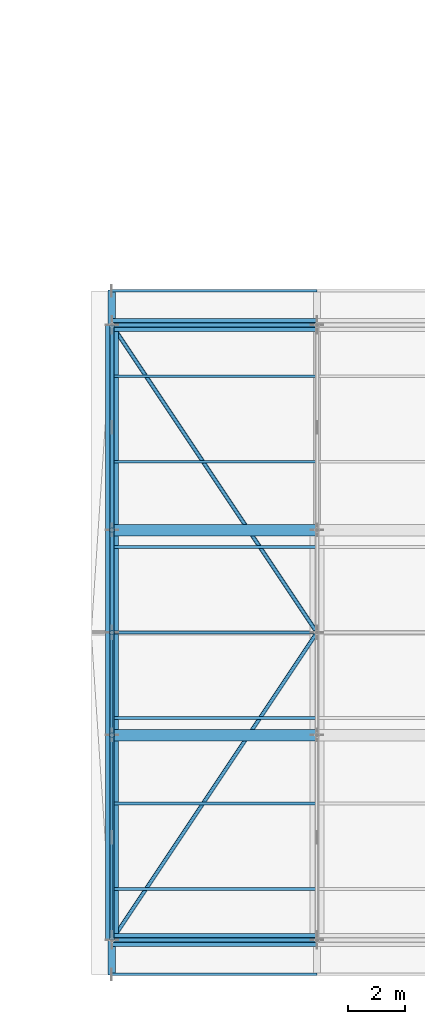
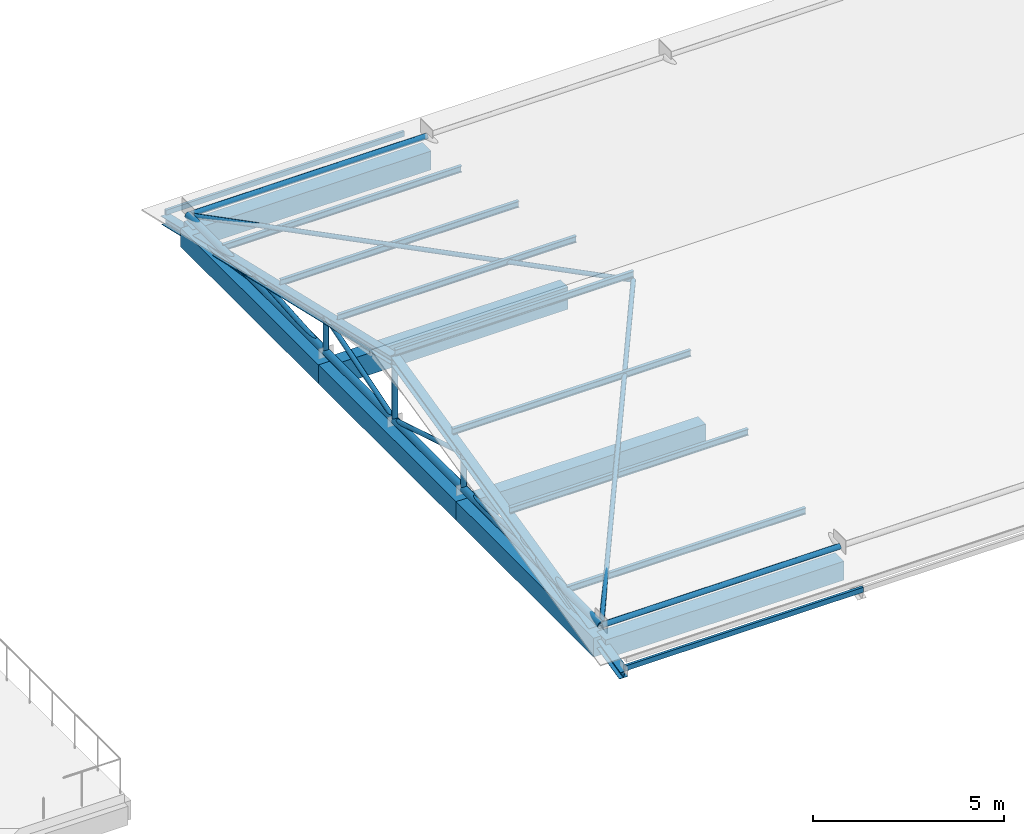
# One storey, part 10 of 84: 25 members, 7 beams.
"""IFC4 building model written with IfcOpenShell, lengths in metres."""

import ifcopenshell
import ifcopenshell.guid

model = None  # the IFC model being written
_history = None  # IfcOwnerHistory: only IFC2X3 demands one
_inside = {}  # id of a spatial element -> (the spatial element, [elements in it])
_under = {}  # id of a project, library or spatial element -> (it, [spatial elements below it])
_declared = {}  # id of a project -> (the project, [libraries it declares])
_typed = {}  # id of a type object -> (the type object, [elements of that type])
_made_of = {}  # id of a material, layer set ... -> (it, [elements and type objects made of it])


def new_model(schema):
    """Start an empty IFC model of exactly this schema.

    Asked for "IFC4X3", IfcOpenShell would pick the latest addendum, in which some entities
    have other attributes; the version numbers below select the first issue.
    IFC2X3 requires an IfcOwnerHistory on every rooted entity: one is made here for all.
    """
    global model, _history
    if schema == "IFC4X3":
        model = ifcopenshell.file(schema_version=(4, 3, 0, 0))
    else:
        model = ifcopenshell.file(schema=schema)
    _inside.clear()
    _under.clear()
    _declared.clear()
    _typed.clear()
    _made_of.clear()
    _history = None
    if model.schema == "IFC2X3":
        org = make("IfcOrganization", Name="unknown")
        user = make(
            "IfcPersonAndOrganization",
            ThePerson=make("IfcPerson", FamilyName="unknown"),
            TheOrganization=org,
        )
        app = make(
            "IfcApplication",
            ApplicationDeveloper=org,
            Version="unknown",
            ApplicationFullName="unknown",
            ApplicationIdentifier="unknown",
        )
        _history = make(
            "IfcOwnerHistory",
            OwningUser=user,
            OwningApplication=app,
            ChangeAction="ADDED",
            CreationDate=0,
        )
    return model


def make(cls, **values):
    """One entity of the class cls with the attributes given. An attribute that is None is left unset."""
    return model.create_entity(
        cls, **{name: value for name, value in values.items() if value is not None}
    )


def rooted(cls, **values):
    """An entity with a GlobalId (a new one), such as an element, a storey or a relation."""
    return make(cls, GlobalId=ifcopenshell.guid.new(), OwnerHistory=_history, **values)


def si_unit(unit_type, name, prefix=None):
    """IfcSIUnit, for example si_unit("LENGTHUNIT", "METRE", prefix="MILLI")."""
    return make("IfcSIUnit", UnitType=unit_type, Prefix=prefix, Name=name)


def assignment(units):
    """IfcUnitAssignment: the units of a project."""
    return None if units is None else make("IfcUnitAssignment", Units=units)


def point(xyz):
    """IfcCartesianPoint."""
    return None if xyz is None else make("IfcCartesianPoint", Coordinates=xyz)


def direction(xyz):
    """IfcDirection."""
    return None if xyz is None else make("IfcDirection", DirectionRatios=xyz)


def frame(location, z_axis=None, x_axis=None):
    """IfcAxis2Placement3D, a coordinate frame: its origin and axes. An axis left out is left unset."""
    return make(
        "IfcAxis2Placement3D",
        Location=point(location),
        Axis=direction(z_axis),
        RefDirection=direction(x_axis),
    )


def frame_2d(location, x_axis=None):
    """IfcAxis2Placement2D, a coordinate frame in the plane: its origin and x axis."""
    return make(
        "IfcAxis2Placement2D", Location=point(location), RefDirection=direction(x_axis)
    )


def origin():
    """The frame at (0, 0, 0) with its axes left unset."""
    return frame((0.0, 0.0, 0.0))


def origin_2d():
    """The frame at (0, 0) in the plane with its x axis left unset."""
    return frame_2d((0.0, 0.0))


def place(relative_to, where):
    """IfcLocalPlacement: puts the frame where relative to a parent placement (None: the world)."""
    return make(
        "IfcLocalPlacement", PlacementRelTo=relative_to, RelativePlacement=where
    )


def context(
    kind, dimensions, precision=None, world=None, true_north=None, identifier=None
):
    """IfcGeometricRepresentationContext, for example the 3D "Model" context."""
    return make(
        "IfcGeometricRepresentationContext",
        ContextIdentifier=identifier,
        ContextType=kind,
        CoordinateSpaceDimension=dimensions,
        Precision=precision,
        WorldCoordinateSystem=world,
        TrueNorth=true_north,
    )


def subcontext(parent, identifier, kind, view, scale=None):
    """IfcGeometricRepresentationSubContext, for example "Body" below "Model"."""
    return make(
        "IfcGeometricRepresentationSubContext",
        ContextIdentifier=identifier,
        ContextType=kind,
        ParentContext=parent,
        TargetScale=scale,
        TargetView=view,
    )


def project(units=None, contexts=None):
    """IfcProject with its units and contexts."""
    return rooted(
        "IfcProject",
        Name="project",
        RepresentationContexts=contexts,
        UnitsInContext=assignment(units),
    )


def spatial(cls, under=None, at=None, **own):
    """A site, building, storey or space (cls), placed at a placement, below another one or the project."""
    s = rooted(cls, ObjectPlacement=at, **own)
    if under is not None:
        _under.setdefault(under.id(), (under, []))[1].append(s)
    return s


def profile(cls, at=None, kind="AREA", **sizes):
    """A parametric profile (cls). Its sizes go by their IFC names, for example OverallWidth=200.0."""
    return make(cls, ProfileType=kind, Position=at, **sizes)


def rectangle(**sizes):
    """IfcRectangleProfileDef."""
    return profile("IfcRectangleProfileDef", **sizes)


def hollow_rectangle(**sizes):
    """IfcRectangleHollowProfileDef."""
    return profile("IfcRectangleHollowProfileDef", **sizes)


def hollow_circle(**sizes):
    """IfcCircleHollowProfileDef."""
    return profile("IfcCircleHollowProfileDef", **sizes)


def i_section(**sizes):
    """IfcIShapeProfileDef."""
    return profile("IfcIShapeProfileDef", **sizes)


def extrude(swept, where, along, depth):
    """IfcExtrudedAreaSolid: the profile swept, set in the frame where, extruded along a direction by depth."""
    return make(
        "IfcExtrudedAreaSolid",
        SweptArea=swept,
        Position=where,
        ExtrudedDirection=direction(along),
        Depth=depth,
    )


def shape(context_of_items, identifier, shape_type, items):
    """IfcShapeRepresentation: the items that make up one representation, for example the "Body"."""
    return make(
        "IfcShapeRepresentation",
        ContextOfItems=context_of_items,
        RepresentationIdentifier=identifier,
        RepresentationType=shape_type,
        Items=items,
    )


def material(Name=None, Category=None):
    """IfcMaterial."""
    return make("IfcMaterial", Name=Name, Category=Category)


def material_profile(
    of_material, cross_section, Name=None, Category=None, Priority=None
):
    """IfcMaterialProfile: a cross section and its material."""
    return make(
        "IfcMaterialProfile",
        Name=Name,
        Material=of_material,
        Profile=cross_section,
        Priority=Priority,
        Category=Category,
    )


def profile_set(profiles, Name=None, composite=None):
    """IfcMaterialProfileSet."""
    return make(
        "IfcMaterialProfileSet",
        Name=Name,
        MaterialProfiles=profiles,
        CompositeProfile=composite,
    )


def made_of(thing, what):
    """Note that an element or type object is made of a material, layer set ...; save() writes the relation."""
    if what is not None:
        _made_of.setdefault(what.id(), (what, []))[1].append(thing)
    return thing


def type_object(cls, material=None, **own):
    """A type object (cls), such as IfcWallType, which elements share."""
    return made_of(rooted(cls, **own), material)


def element(
    cls,
    number,
    at=None,
    inside=None,
    cuts=None,
    type_object=None,
    material=None,
    context=None,
    identifier="Body",
    shape_type=None,
    held_by="IfcProductDefinitionShape",
    body=None,
    shapes=None,
    **own,
):
    """One element of the class cls, such as IfcWall. Its Tag is "e" and its number.

    at: its placement. inside: the storey or other place that contains it. cuts: it is an
    opening in that element (IfcRelVoidsElement). A single representation is given by context,
    identifier, shape_type and body (its items); several are given by shapes. held_by: the class
    of the entity that holds the representations. save() writes the other relations.
    """
    e = rooted(cls, Tag="e%d" % number, ObjectPlacement=at, **own)
    if body is not None:
        shapes = [shape(context, identifier, shape_type, body)]
    if shapes is not None:
        e.Representation = make(held_by, Representations=shapes)
    if inside is not None:
        _inside.setdefault(inside.id(), (inside, []))[1].append(e)
    if cuts is not None:
        rooted(
            "IfcRelVoidsElement", RelatingBuildingElement=cuts, RelatedOpeningElement=e
        )
    if type_object is not None:
        _typed.setdefault(type_object.id(), (type_object, []))[1].append(e)
    return made_of(e, material)


def aggregate(whole, parts):
    """IfcRelAggregates: a whole, such as a stair, and the parts it consists of."""
    return rooted("IfcRelAggregates", RelatingObject=whole, RelatedObjects=parts)


def save(model, path):
    """Write the relations noted so far, then the file.

    IfcRelAggregates (storeys below a building ...), IfcRelContainedInSpatialStructure (elements
    in a storey), IfcRelDefinesByType, IfcRelAssociatesMaterial and IfcRelDeclares: one each for
    every whole, place, type object, material and project.
    """
    for whole, parts in _under.values():
        aggregate(whole, parts)
    for where, things in _inside.values():
        rooted(
            "IfcRelContainedInSpatialStructure",
            RelatedElements=things,
            RelatingStructure=where,
        )
    for kind, things in _typed.values():
        rooted("IfcRelDefinesByType", RelatedObjects=things, RelatingType=kind)
    for what, things in _made_of.values():
        rooted("IfcRelAssociatesMaterial", RelatedObjects=things, RelatingMaterial=what)
    for by, libraries in _declared.values():
        rooted("IfcRelDeclares", RelatingContext=by, RelatedDefinitions=libraries)
    model.write(path)


model = new_model("IFC4")

# Units and contexts
model_context = context("Model", 3, precision=1e-05, world=origin(), true_north=direction((0.0, 1.0)))
body_context = subcontext(model_context, "Body", "Model", "MODEL_VIEW")
ifc_project = project(units=[si_unit("LENGTHUNIT", "METRE"), si_unit("AREAUNIT", "SQUARE_METRE"), si_unit("VOLUMEUNIT", "CUBIC_METRE"), si_unit("PLANEANGLEUNIT", "RADIAN"), si_unit("MASSUNIT", "GRAM", prefix="KILO")], contexts=[model_context])

# Site, building, storey
site_placement = place(None, origin())
site = spatial("IfcSite", under=ifc_project, at=site_placement, CompositionType="ELEMENT")
building_placement = place(site_placement, origin())
building = spatial("IfcBuilding", under=site, at=building_placement, Name="Zornivar Specialist Clinic", CompositionType="ELEMENT")
storey_placement = place(building_placement, frame((0.0, 0.0, 12.300048828125)))
storey = spatial("IfcBuildingStorey", under=building, at=storey_placement, Name="L03", CompositionType="ELEMENT", Elevation=12.300048828125)

# Beams
ifc_material_1 = material(Name="Concrete C30/37", Category="concrete")
ifc_material_profile_1 = material_profile(ifc_material_1, rectangle(XDim=0.39990234375, YDim=0.699951171875, at=origin_2d()), Name="RC 400x700")
ifc_profile_set_1 = profile_set([ifc_material_profile_1], Name="Concrete C30/37")
beam_type_1 = type_object("IfcBeamType", Name="BM-RC-400x700", PredefinedType="BEAM", material=ifc_profile_set_1)
for number, where, z_axis, x_axis, name in (
    (1, (57.60009765625, 7.199951171875, -0.35009765625), (1.0, 0.0, 0.0), (0.0, 1.0, 0.0), "bm:V3:L03:x:72:0"),
    (2, (57.60009765625, 14.39990234375, -0.35009765625), (1.0, 0.0, 0.0), (0.0, 1.0, 0.0), "bm:V3:L03:x:144:0"),
):
    element("IfcBeam", number, at=place(storey_placement, frame(where, z_axis=z_axis, x_axis=x_axis)), inside=storey, type_object=beam_type_1, Name=name, PredefinedType="BEAM", context=body_context, shape_type="SweptSolid", body=[
        extrude(rectangle(XDim=0.39990234375, YDim=0.699951171875, at=origin_2d()), origin(), (0.0, 0.0, 1.0), 7.199951171875),
    ])
ifc_material_2 = material(Name="Concrete C30/37", Category="concrete")
ifc_material_profile_2 = material_profile(ifc_material_2, rectangle(XDim=0.4599609375, YDim=0.60009765625, at=origin_2d()), Name="RC 460x600")
ifc_profile_set_2 = profile_set([ifc_material_profile_2], Name="Concrete C30/37")
beam_type_2 = type_object("IfcBeamType", Name="BM-RC-SPANDREL-460x600", PredefinedType="SPANDREL", material=ifc_profile_set_2)
for number, where, z_axis, x_axis, name in (
    (3, (57.60009765625, 0.0, -0.300048828125), (1.0, 0.0, 0.0), (0.0, 1.0, 0.0), "bm:V3:L03:x:0:0"),
    (4, (57.60009765625, 21.60009765625, -0.300048828125), (1.0, 0.0, 0.0), (0.0, 1.0, 0.0), "bm:V3:L03:x:216:0"),
    (5, (57.60009765625, 0.0, -0.300048828125), (0.0, 1.0, 0.0), (-1.0, 0.0, 0.0), "bm:V3:L03:y:576:0"),
    (6, (57.60009765625, 7.199951171875, -0.300048828125), (0.0, 1.0, 0.0), (-1.0, 0.0, 0.0), "bm:V3:L03:y:576:1"),
):
    element("IfcBeam", number, at=place(storey_placement, frame(where, z_axis=z_axis, x_axis=x_axis)), inside=storey, type_object=beam_type_2, Name=name, PredefinedType="SPANDREL", context=body_context, shape_type="SweptSolid", body=[
        extrude(rectangle(XDim=0.4599609375, YDim=0.60009765625, at=origin_2d()), origin(), (0.0, 0.0, 1.0), 7.199951171875),
    ])
beam_placement = place(storey_placement, frame((57.60009765625, 14.39990234375, -0.300048828125), z_axis=(0.0, 1.0, 0.0), x_axis=(-1.0, 0.0, 0.0)))
element("IfcBeam", 7, at=beam_placement, inside=storey, type_object=beam_type_2, Name="bm:V3:L03:y:576:2", PredefinedType="SPANDREL", context=body_context, shape_type="SweptSolid", body=[
    extrude(rectangle(XDim=0.4599609375, YDim=0.60009765625, at=origin_2d()), origin(), (0.0, 0.0, 1.0), 7.2001953125),
])

# Members
ifc_material_3 = material(Name="Steel S355J2", Category="steel")
ifc_material_profile_3 = material_profile(ifc_material_3, hollow_circle(Radius=0.109619140625, WallThickness=0.012451171875, at=origin_2d()), Name="CHS 219.1x12.5")
ifc_profile_set_3 = profile_set([ifc_material_profile_3], Name="Steel S355J2")
member_type_1 = type_object("IfcMemberType", Name="MEM-CHORD-CHS219", PredefinedType="CHORD", material=ifc_profile_set_3)
member_1_placement = place(storey_placement, frame((57.60009765625, 0.0, 0.33984375), z_axis=(0.0, 1.0, 0.0), x_axis=(-1.0, 0.0, 0.0)))
element("IfcMember", 8, at=member_1_placement, inside=storey, type_object=member_type_1, Name="mem:V3:L03:bchord:0", PredefinedType="CHORD", context=body_context, shape_type="SweptSolid", body=[
    extrude(hollow_circle(Radius=0.109619140625, WallThickness=0.012451171875, at=origin_2d()), origin(), (0.0, 0.0, 1.0), 21.60009765625),
])
ifc_material_4 = material(Name="Steel S355J2", Category="steel")
ifc_material_profile_4 = material_profile(ifc_material_4, i_section(OverallWidth=0.260009765625, OverallDepth=0.25, WebThickness=0.007568359375, FlangeThickness=0.012451171875, FilletRadius=0.02392578125, at=origin_2d()), Name="HEA 260")
ifc_profile_set_4 = profile_set([ifc_material_profile_4], Name="Steel S355J2")
member_type_2 = type_object("IfcMemberType", Name="MEM-CHORD-HEA260", PredefinedType="CHORD", material=ifc_profile_set_4)
for number, where, z_axis, x_axis, name in (
    (9, (57.60009765625, -1.199951171875, -0.510009765625), (0.0, 0.973840332876, 0.227233373571), (-1.0, 0.0, 0.0), "mem:V3:L03:rafS:0"),
    (10, (57.60009765625, 22.800048828125, -0.510009765625), (0.0, -0.973840332876, 0.227233373571), (1.0, 0.0, 0.0), "mem:V3:L03:rafN:0"),
):
    element("IfcMember", number, at=place(storey_placement, frame(where, z_axis=z_axis, x_axis=x_axis)), inside=storey, type_object=member_type_2, Name=name, PredefinedType="CHORD", context=body_context, shape_type="SweptSolid", body=[
        extrude(i_section(OverallWidth=0.260009765625, OverallDepth=0.25, WebThickness=0.007568359375, FlangeThickness=0.012451171875, FilletRadius=0.02392578125, at=origin_2d()), origin(), (0.0, 0.0, 1.0), 12.322265625),
    ])
ifc_material_5 = material(Name="Steel S355J2", Category="steel")
ifc_material_profile_5 = material_profile(ifc_material_5, hollow_circle(Radius=0.06982421875, WallThickness=0.008056640625, at=origin_2d()), Name="CHS 139.7x8")
ifc_profile_set_5 = profile_set([ifc_material_profile_5], Name="Steel S355J2")
member_type_3 = type_object("IfcMemberType", Name="MEM-DIAG-CHS140", PredefinedType="BRACE", material=ifc_profile_set_5)
member_2_placement = place(storey_placement, frame((57.60009765625, 10.800048828125, 0.33984375), z_axis=(0.0, -0.955600885264, 0.29466412758), x_axis=(1.0, 0.0, 0.0)))
element("IfcMember", 11, at=member_2_placement, inside=storey, type_object=member_type_3, Name="mem:V3:L03:diag:0:S:0", PredefinedType="BRACE", context=body_context, shape_type="SweptSolid", body=[
    extrude(hollow_circle(Radius=0.06982421875, WallThickness=0.008056640625, at=origin_2d()), origin(), (0.0, 0.0, 1.0), 3.767333984375),
])
member_3_placement = place(storey_placement, frame((57.60009765625, 7.199951171875, 0.33984375), z_axis=(0.0, -0.997198679372, 0.074798354655), x_axis=(1.0, 0.0, 0.0)))
element("IfcMember", 12, at=member_3_placement, inside=storey, type_object=member_type_3, Name="mem:V3:L03:diag:0:S:1", PredefinedType="BRACE", context=body_context, shape_type="SweptSolid", body=[
    extrude(hollow_circle(Radius=0.06982421875, WallThickness=0.008056640625, at=origin_2d()), origin(), (0.0, 0.0, 1.0), 3.60986328125),
])
member_4_placement = place(storey_placement, frame((57.60009765625, 10.800048828125, 0.33984375), z_axis=(0.0, 0.955595258001, 0.294682376272), x_axis=(-1.0, 0.0, 0.0)))
element("IfcMember", 13, at=member_4_placement, inside=storey, type_object=member_type_3, Name="mem:V3:L03:diag:0:N:0", PredefinedType="BRACE", context=body_context, shape_type="SweptSolid", body=[
    extrude(hollow_circle(Radius=0.06982421875, WallThickness=0.008056640625, at=origin_2d()), origin(), (0.0, 0.0, 1.0), 3.76708984375),
])
member_5_placement = place(storey_placement, frame((57.60009765625, 14.39990234375, 0.33984375), z_axis=(0.0, 0.997199057707, 0.074793310581), x_axis=(-1.0, 0.0, 0.0)))
element("IfcMember", 14, at=member_5_placement, inside=storey, type_object=member_type_3, Name="mem:V3:L03:diag:0:N:1", PredefinedType="BRACE", context=body_context, shape_type="SweptSolid", body=[
    extrude(hollow_circle(Radius=0.06982421875, WallThickness=0.008056640625, at=origin_2d()), origin(), (0.0, 0.0, 1.0), 3.610107421875),
])
ifc_material_6 = material(Name="Steel S355J2", Category="steel")
ifc_material_profile_6 = material_profile(ifc_material_6, hollow_circle(Radius=0.06982421875, WallThickness=0.010009765625, at=origin_2d()), Name="CHS 139.7x10")
ifc_profile_set_6 = profile_set([ifc_material_profile_6], Name="Steel S355J2")
member_type_4 = type_object("IfcMemberType", Name="MEM-DIAG-CHS140H", PredefinedType="BRACE", material=ifc_profile_set_6)
for number, where, z_axis, x_axis, name in (
    (15, (57.60009765625, 3.60009765625, 0.33984375), (0.0, -0.987704241702, -0.156334036358), (1.0, 0.0, 0.0), "mem:V3:L03:diag:0:S:2"),
    (16, (57.60009765625, 18.0, 0.33984375), (0.0, 0.987704241702, -0.156334036358), (-1.0, 0.0, 0.0), "mem:V3:L03:diag:0:N:2"),
):
    element("IfcMember", number, at=place(storey_placement, frame(where, z_axis=z_axis, x_axis=x_axis)), inside=storey, type_object=member_type_4, Name=name, PredefinedType="BRACE", context=body_context, shape_type="SweptSolid", body=[
        extrude(hollow_circle(Radius=0.06982421875, WallThickness=0.010009765625, at=origin_2d()), origin(), (0.0, 0.0, 1.0), 3.64501953125),
    ])
ifc_material_7 = material(Name="Steel S355J2", Category="steel")
ifc_material_profile_7 = material_profile(ifc_material_7, hollow_rectangle(XDim=0.080078125, YDim=0.159912109375, WallThickness=0.008056640625, at=origin_2d()), Name="RHS 160x80x8")
ifc_profile_set_7 = profile_set([ifc_material_profile_7], Name="Steel S355J2")
member_type_5 = type_object("IfcMemberType", Name="MEM-EAVE-RHS160", PredefinedType="USERDEFINED", material=ifc_profile_set_7)
for number, where, z_axis, x_axis, name in (
    (17, (57.60009765625, -1.199951171875, -0.296142578125), (1.0, 0.0, 0.0), (0.0, 1.0, 0.0), "mem:V3:L03:purl:0:00"),
    (18, (57.60009765625, 22.800048828125, -0.296142578125), (1.0, 0.0, 0.0), (0.0, 1.0, 0.0), "mem:V3:L03:purl:0:08"),
):
    element("IfcMember", number, at=place(storey_placement, frame(where, z_axis=z_axis, x_axis=x_axis)), inside=storey, type_object=member_type_5, Name=name, ObjectType="EAVE RAFTER", PredefinedType="USERDEFINED", context=body_context, shape_type="SweptSolid", body=[
        extrude(hollow_rectangle(XDim=0.080078125, YDim=0.159912109375, WallThickness=0.008056640625, at=origin_2d()), origin(), (0.0, 0.0, 1.0), 7.199951171875),
    ])
ifc_material_8 = material(Name="Steel S355J2", Category="steel")
ifc_material_profile_8 = material_profile(ifc_material_8, hollow_circle(Radius=0.084228515625, WallThickness=0.012451171875, at=origin_2d()), Name="CHS 168.3x12.5")
ifc_profile_set_8 = profile_set([ifc_material_profile_8], Name="Steel S355J2")
member_type_6 = type_object("IfcMemberType", Name="MEM-KING-CHS168H", PredefinedType="STRUT", material=ifc_profile_set_8)
member_6_placement = place(storey_placement, frame((57.60009765625, 10.800048828125, 0.33984375), z_axis=(0.0, 0.0, 1.0), x_axis=(1.0, 0.0, 0.0)))
element("IfcMember", 19, at=member_6_placement, inside=storey, type_object=member_type_6, Name="mem:V3:L03:king:0", PredefinedType="STRUT", context=body_context, shape_type="SweptSolid", body=[
    extrude(hollow_circle(Radius=0.084228515625, WallThickness=0.012451171875, at=origin_2d()), origin(), (0.0, 0.0, 1.0), 1.9501953125),
])
ifc_material_9 = material(Name="Steel S355J2", Category="steel")
ifc_material_profile_9 = material_profile(ifc_material_9, i_section(OverallWidth=0.10009765625, OverallDepth=0.199951171875, WebThickness=0.005615234375, FlangeThickness=0.008544921875, FilletRadius=0.011962890625, at=origin_2d()), Name="IPE 200")
ifc_profile_set_9 = profile_set([ifc_material_profile_9], Name="Steel S355J2")
member_type_7 = type_object("IfcMemberType", Name="MEM-PURLIN-IPE200", PredefinedType="PURLIN", material=ifc_profile_set_9)
for number, where, z_axis, x_axis, name in (
    (20, (57.60009765625, 1.800048828125, 0.404052734375), (1.0, 0.0, 0.0), (0.0, 1.0, 0.0), "mem:V3:L03:purl:0:01"),
    (21, (57.60009765625, 4.800048828125, 1.10400390625), (1.0, 0.0, 0.0), (0.0, 1.0, 0.0), "mem:V3:L03:purl:0:02"),
    (22, (57.60009765625, 7.800048828125, 1.803955078125), (1.0, 0.0, 0.0), (0.0, 1.0, 0.0), "mem:V3:L03:purl:0:03"),
    (23, (57.60009765625, 10.800048828125, 2.50390625), (1.0, 0.0, 0.0), (0.0, 1.0, 0.0), "mem:V3:L03:purl:0:04"),
    (24, (57.60009765625, 13.800048828125, 1.803955078125), (1.0, 0.0, 0.0), (0.0, 1.0, 0.0), "mem:V3:L03:purl:0:05"),
    (25, (57.60009765625, 16.800048828125, 1.10400390625), (1.0, 0.0, 0.0), (0.0, 1.0, 0.0), "mem:V3:L03:purl:0:06"),
    (26, (57.60009765625, 19.800048828125, 0.404052734375), (1.0, 0.0, 0.0), (0.0, 1.0, 0.0), "mem:V3:L03:purl:0:07"),
):
    element("IfcMember", number, at=place(storey_placement, frame(where, z_axis=z_axis, x_axis=x_axis)), inside=storey, type_object=member_type_7, Name=name, PredefinedType="PURLIN", context=body_context, shape_type="SweptSolid", body=[
        extrude(i_section(OverallWidth=0.10009765625, OverallDepth=0.199951171875, WebThickness=0.005615234375, FlangeThickness=0.008544921875, FilletRadius=0.011962890625, at=origin_2d()), origin(), (0.0, 0.0, 1.0), 7.199951171875),
    ])
ifc_material_10 = material(Name="Steel S355J2", Category="steel")
ifc_material_profile_10 = material_profile(ifc_material_10, hollow_circle(Radius=0.084228515625, WallThickness=0.010009765625, at=origin_2d()), Name="CHS 168.3x10")
ifc_profile_set_10 = profile_set([ifc_material_profile_10], Name="Steel S355J2")
member_type_8 = type_object("IfcMemberType", Name="MEM-STRUT-CHS168", PredefinedType="STRUT", material=ifc_profile_set_10)
for number, where, z_axis, x_axis, name in (
    (27, (57.60009765625, 7.199951171875, 0.33984375), (0.0, 0.0, 1.0), (1.0, 0.0, 0.0), "mem:V3:L03:vert:0:S:1"),
    (28, (57.60009765625, 14.39990234375, 0.33984375), (0.0, 0.0, 1.0), (1.0, 0.0, 0.0), "mem:V3:L03:vert:0:N:1"),
):
    element("IfcMember", number, at=place(storey_placement, frame(where, z_axis=z_axis, x_axis=x_axis)), inside=storey, type_object=member_type_8, Name=name, PredefinedType="STRUT", context=body_context, shape_type="SweptSolid", body=[
        extrude(hollow_circle(Radius=0.084228515625, WallThickness=0.010009765625, at=origin_2d()), origin(), (0.0, 0.0, 1.0), 1.110107421875),
    ])
for number, where, z_axis, x_axis, name in (
    (29, (57.60009765625, 0.0, 0.33984375), (1.0, 0.0, 0.0), (0.0, 1.0, 0.0), "mem:V3:L03:ltieS:0"),
    (30, (57.60009765625, 21.60009765625, 0.33984375), (1.0, 0.0, 0.0), (0.0, 1.0, 0.0), "mem:V3:L03:ltieN:0"),
):
    element("IfcMember", number, at=place(storey_placement, frame(where, z_axis=z_axis, x_axis=x_axis)), inside=storey, type_object=member_type_8, Name=name, PredefinedType="STRUT", context=body_context, shape_type="SweptSolid", body=[
        extrude(hollow_circle(Radius=0.084228515625, WallThickness=0.010009765625, at=origin_2d()), origin(), (0.0, 0.0, 1.0), 7.199951171875),
    ])
ifc_material_11 = material(Name="Steel S355J2", Category="steel")
ifc_material_profile_11 = material_profile(ifc_material_11, hollow_circle(Radius=0.06982421875, WallThickness=0.008056640625, at=origin_2d()), Name="CHS 139.7x8")
ifc_profile_set_11 = profile_set([ifc_material_profile_11], Name="Steel S355J2")
member_type_9 = type_object("IfcMemberType", Name="MEM-WIND-CHS140", PredefinedType="BRACE", material=ifc_profile_set_11)
for number, where, z_axis, x_axis, name in (
    (31, (57.60009765625, 0.0, 0.33984375), (0.548539069303, 0.822817904064, 0.14857855229), (-0.832053188017, 0.554695855682, 0.0), "mem:V3:L03:wbraceS:0"),
    (32, (57.60009765625, 21.60009765625, 0.33984375), (0.548539069303, -0.822817904064, 0.14857855229), (0.832053188017, 0.554695855682, 0.0), "mem:V3:L03:wbraceN:0"),
):
    element("IfcMember", number, at=place(storey_placement, frame(where, z_axis=z_axis, x_axis=x_axis)), inside=storey, type_object=member_type_9, Name=name, PredefinedType="BRACE", context=body_context, shape_type="SweptSolid", body=[
        extrude(hollow_circle(Radius=0.06982421875, WallThickness=0.008056640625, at=origin_2d()), origin(), (0.0, 0.0, 1.0), 13.125732421875),
    ])

save(model, "model.ifc")
